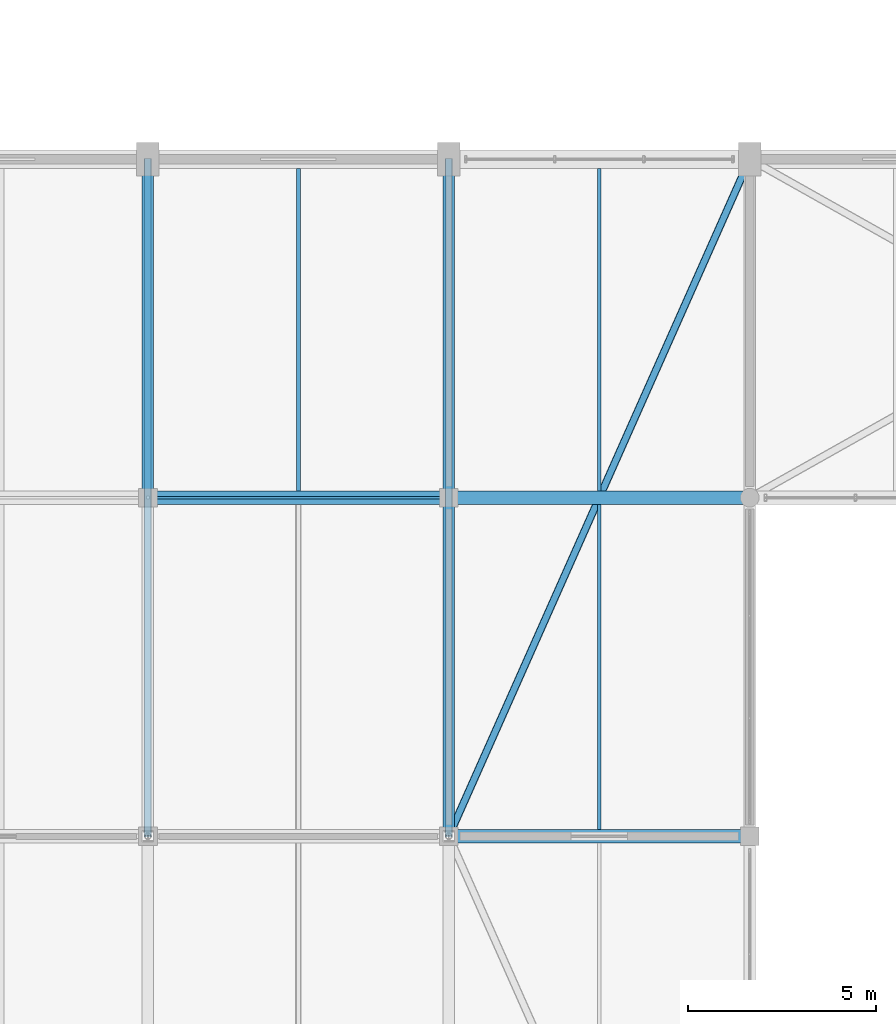
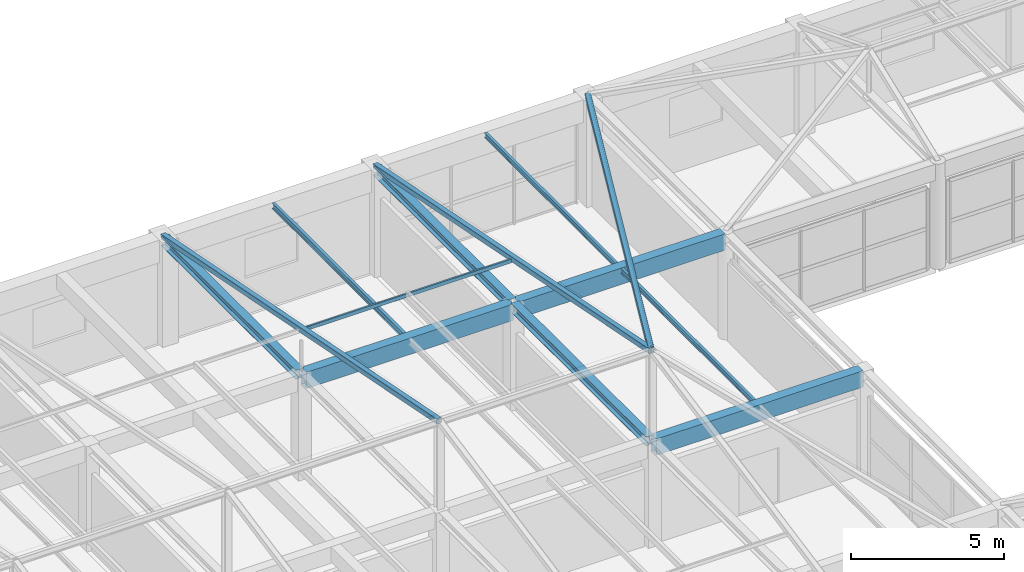
# One storey, part 27 of 65: 9 beams, 4 members.
"""IFC4 building model written with IfcOpenShell, lengths in metres."""

from ifc_helpers import new_model, si_unit, direction, frame, origin, origin_2d, place, context, subcontext, project, spatial, rectangle, hollow_rectangle, i_section, extrude, material, material_profile, profile_set, type_object, element, save


model = new_model("IFC4")

# Units and contexts
model_context = context("Model", 3, precision=1e-05, world=origin(), true_north=direction((0.0, 1.0)))
body_context = subcontext(model_context, "Body", "Model", "MODEL_VIEW")
ifc_project = project(units=[si_unit("LENGTHUNIT", "METRE"), si_unit("AREAUNIT", "SQUARE_METRE"), si_unit("VOLUMEUNIT", "CUBIC_METRE"), si_unit("PLANEANGLEUNIT", "RADIAN"), si_unit("MASSUNIT", "GRAM", prefix="KILO")], contexts=[model_context])

# Site, building, storey
site_placement = place(None, origin())
site = spatial("IfcSite", under=ifc_project, at=site_placement, CompositionType="ELEMENT")
building_placement = place(site_placement, origin())
building = spatial("IfcBuilding", under=site, at=building_placement, Name="Varnabhumi Central Station", CompositionType="ELEMENT")
storey_placement = place(building_placement, frame((0.0, 0.0, 24.60009765625)))
storey = spatial("IfcBuildingStorey", under=building, at=storey_placement, Name="L05", CompositionType="ELEMENT", Elevation=24.60009765625)

# Beams
ifc_material_1 = material(Name="Concrete M40", Category="concrete")
ifc_material_profile_1 = material_profile(ifc_material_1, rectangle(XDim=0.35009765625, YDim=0.64990234375, at=origin_2d()), Name="Concrete M40", Category="concrete")
ifc_profile_set_1 = profile_set([ifc_material_profile_1], Name="Concrete M40")
beam_type_1 = type_object("IfcBeamType", Name="BM-RC-350x650", PredefinedType="BEAM", material=ifc_profile_set_1)
for number, where, z_axis, x_axis, name in (
    (1, (96.10009765625, 27.0, 3.875), (1.0, 0.0, 0.0), (0.0, 1.0, 0.0), "Beam L05-D:13-14"),
    (2, (104.10009765625, 18.0, 3.875), (1.0, 0.0, 0.0), (0.0, 1.0, 0.0), "Beam L05-C:14-15"),
    (3, (104.10009765625, 27.0, 3.875), (1.0, 0.0, 0.0), (0.0, 1.0, 0.0), "Beam L05-D:14-15"),
):
    element("IfcBeam", number, at=place(storey_placement, frame(where, z_axis=z_axis, x_axis=x_axis)), inside=storey, type_object=beam_type_1, Name=name, PredefinedType="BEAM", context=body_context, shape_type="SweptSolid", body=[
        extrude(rectangle(XDim=0.35009765625, YDim=0.64990234375, at=origin_2d()), origin(), (0.0, 0.0, 1.0), 7.7998046875),
    ])
ifc_material_2 = material(Name="Structural steel E350", Category="steel")
ifc_material_profile_2 = material_profile(ifc_material_2, i_section(OverallWidth=0.10009765625, OverallDepth=0.199951171875, WebThickness=0.005615234375, FlangeThickness=0.0107421875, FilletRadius=0.010986328125, at=origin_2d()), Name="Structural steel E350", Category="steel")
ifc_profile_set_2 = profile_set([ifc_material_profile_2], Name="Structural steel E350")
beam_type_2 = type_object("IfcBeamType", Name="BM-STL-ISMB200", PredefinedType="JOIST", material=ifc_profile_set_2)
beam_1_placement = place(storey_placement, frame((108.0, 18.175048828125, 4.099853515625), z_axis=(0.0, 1.0, 0.0), x_axis=(-1.0, 0.0, 0.0)))
element("IfcBeam", 4, at=beam_1_placement, inside=storey, type_object=beam_type_2, Name="Secondary Joist L05-14/15:C-D", PredefinedType="JOIST", context=body_context, shape_type="SweptSolid", body=[
    extrude(i_section(OverallWidth=0.10009765625, OverallDepth=0.199951171875, WebThickness=0.005615234375, FlangeThickness=0.0107421875, FilletRadius=0.010986328125, at=origin_2d()), origin(), (0.0, 0.0, 1.0), 8.64990234375),
])
beam_2_placement = place(storey_placement, frame((108.0, 27.175048828125, 4.099853515625), z_axis=(0.0, 1.0, 0.0), x_axis=(-1.0, 0.0, 0.0)))
element("IfcBeam", 5, at=beam_2_placement, inside=storey, type_object=beam_type_2, Name="Secondary Joist L05-14/15:D-E", PredefinedType="JOIST", context=body_context, shape_type="SweptSolid", body=[
    extrude(i_section(OverallWidth=0.10009765625, OverallDepth=0.199951171875, WebThickness=0.005615234375, FlangeThickness=0.0107421875, FilletRadius=0.010986328125, at=origin_2d()), origin(), (0.0, 0.0, 1.0), 8.574951171875),
])
ifc_material_profile_3 = material_profile(ifc_material_2, i_section(OverallWidth=0.110107421875, OverallDepth=0.22509765625, WebThickness=0.006591796875, FlangeThickness=0.01171875, FilletRadius=0.011962890625, at=origin_2d()), Name="Structural steel E350", Category="steel")
ifc_profile_set_3 = profile_set([ifc_material_profile_3], Name="Structural steel E350")
beam_type_3 = type_object("IfcBeamType", Name="BM-STL-ISMB225", PredefinedType="JOIST", material=ifc_profile_set_3)
beam_3_placement = place(storey_placement, frame((100.0, 27.175048828125, 4.08740234375), z_axis=(0.0, 1.0, 0.0), x_axis=(-1.0, 0.0, 0.0)))
element("IfcBeam", 6, at=beam_3_placement, inside=storey, type_object=beam_type_3, Name="Secondary Joist L05-13/14:D-E", PredefinedType="JOIST", context=body_context, shape_type="SweptSolid", body=[
    extrude(i_section(OverallWidth=0.110107421875, OverallDepth=0.22509765625, WebThickness=0.006591796875, FlangeThickness=0.01171875, FilletRadius=0.011962890625, at=origin_2d()), origin(), (0.0, 0.0, 1.0), 8.574951171875),
])
ifc_material_profile_4 = material_profile(ifc_material_2, i_section(OverallWidth=0.300048828125, OverallDepth=0.360107421875, WebThickness=0.012451171875, FlangeThickness=0.0224609375, FilletRadius=0.027099609375, at=origin_2d()), Name="Structural steel E350", Category="steel")
ifc_profile_set_4 = profile_set([ifc_material_profile_4], Name="Structural steel E350")
beam_type_4 = type_object("IfcBeamType", Name="BM-STL-WPB360", PredefinedType="BEAM", material=ifc_profile_set_4)
for number, where, z_axis, x_axis, name in (
    (7, (104.0, 18.10009765625, 4.02001953125), (0.0, 1.0, 0.0), (-1.0, 0.0, 0.0), "Beam L05-14:C-D"),
    (8, (96.0, 27.10009765625, 4.02001953125), (0.0, 1.0, 0.0), (-1.0, 0.0, 0.0), "Beam L05-13:D-E"),
    (9, (104.0, 27.10009765625, 4.02001953125), (0.0, 1.0, 0.0), (-1.0, 0.0, 0.0), "Beam L05-14:D-E"),
):
    element("IfcBeam", number, at=place(storey_placement, frame(where, z_axis=z_axis, x_axis=x_axis)), inside=storey, type_object=beam_type_4, Name=name, PredefinedType="BEAM", context=body_context, shape_type="SweptSolid", body=[
        extrude(i_section(OverallWidth=0.300048828125, OverallDepth=0.360107421875, WebThickness=0.012451171875, FlangeThickness=0.0224609375, FilletRadius=0.027099609375, at=origin_2d()), origin(), (0.0, 0.0, 1.0), 8.7998046875),
    ])

# Members
ifc_material_profile_5 = material_profile(ifc_material_2, hollow_rectangle(XDim=0.074951171875, YDim=0.14990234375, WallThickness=0.006103515625, InnerFilletRadius=0.006103515625, OuterFilletRadius=0.011962890625, at=origin_2d()), Name="Structural steel E350", Category="steel")
ifc_profile_set_5 = profile_set([ifc_material_profile_5], Name="Structural steel E350")
member_type_1 = type_object("IfcMemberType", Name="MBR-PURL-RHS150", PredefinedType="PURLIN", material=ifc_profile_set_5)
member_1_placement = place(storey_placement, frame((96.0, 27.0, 5.824951171875), z_axis=(1.0, 0.0, 0.0), x_axis=(0.0, 1.0, 0.0)))
element("IfcMember", 10, at=member_1_placement, inside=storey, type_object=member_type_1, Name="Mission Roof Purlin SW6E-9-N", PredefinedType="PURLIN", context=body_context, shape_type="SweptSolid", body=[
    extrude(hollow_rectangle(XDim=0.074951171875, YDim=0.14990234375, WallThickness=0.006103515625, InnerFilletRadius=0.006103515625, OuterFilletRadius=0.011962890625, at=origin_2d()), origin(), (0.0, 0.0, 1.0), 8.0),
])
ifc_material_profile_6 = material_profile(ifc_material_2, hollow_rectangle(XDim=0.199951171875, YDim=0.199951171875, WallThickness=0.010009765625, InnerFilletRadius=0.010009765625, OuterFilletRadius=0.02001953125, at=origin_2d()), Name="Structural steel E350", Category="steel")
ifc_profile_set_6 = profile_set([ifc_material_profile_6], Name="Structural steel E350")
member_type_2 = type_object("IfcMemberType", Name="MBR-RAFT-SHS200", PredefinedType="RAFTER", material=ifc_profile_set_6)
member_2_placement = place(storey_placement, frame((112.0, 36.0, 4.10986328125), z_axis=(-0.399698916942, -0.899322563119, 0.177368833961), x_axis=(0.91381154862, -0.406138466053, 0.0)))
element("IfcMember", 11, at=member_2_placement, inside=storey, type_object=member_type_2, Name="Mission Roof Hip Rafter SW6E-WN", PredefinedType="RAFTER", context=body_context, shape_type="SweptSolid", body=[
    extrude(hollow_rectangle(XDim=0.199951171875, YDim=0.199951171875, WallThickness=0.010009765625, InnerFilletRadius=0.010009765625, OuterFilletRadius=0.02001953125, at=origin_2d()), origin(), (0.0, 0.0, 1.0), 20.01513671875),
])
for number, where, z_axis, x_axis, name in (
    (12, (96.0, 36.0, 4.10986328125), (0.0, -0.981100761594, 0.193497533832), (1.0, 0.0, 0.0), "Mission Roof North Rafter SW6E-9"),
    (13, (104.0, 36.0, 4.10986328125), (0.0, -0.981100761594, 0.193497533832), (1.0, 0.0, 0.0), "Mission Roof North Rafter SW6E-10"),
):
    element("IfcMember", number, at=place(storey_placement, frame(where, z_axis=z_axis, x_axis=x_axis)), inside=storey, type_object=member_type_2, Name=name, PredefinedType="RAFTER", context=body_context, shape_type="SweptSolid", body=[
        extrude(hollow_rectangle(XDim=0.199951171875, YDim=0.199951171875, WallThickness=0.010009765625, InnerFilletRadius=0.010009765625, OuterFilletRadius=0.02001953125, at=origin_2d()), origin(), (0.0, 0.0, 1.0), 18.3466796875),
    ])

save(model, "model.ifc")
